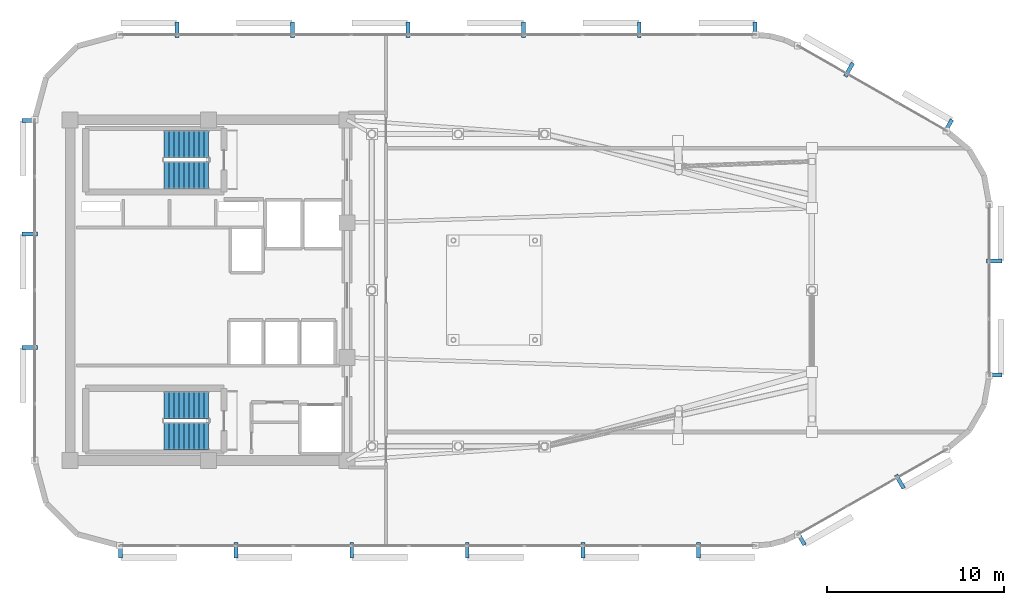
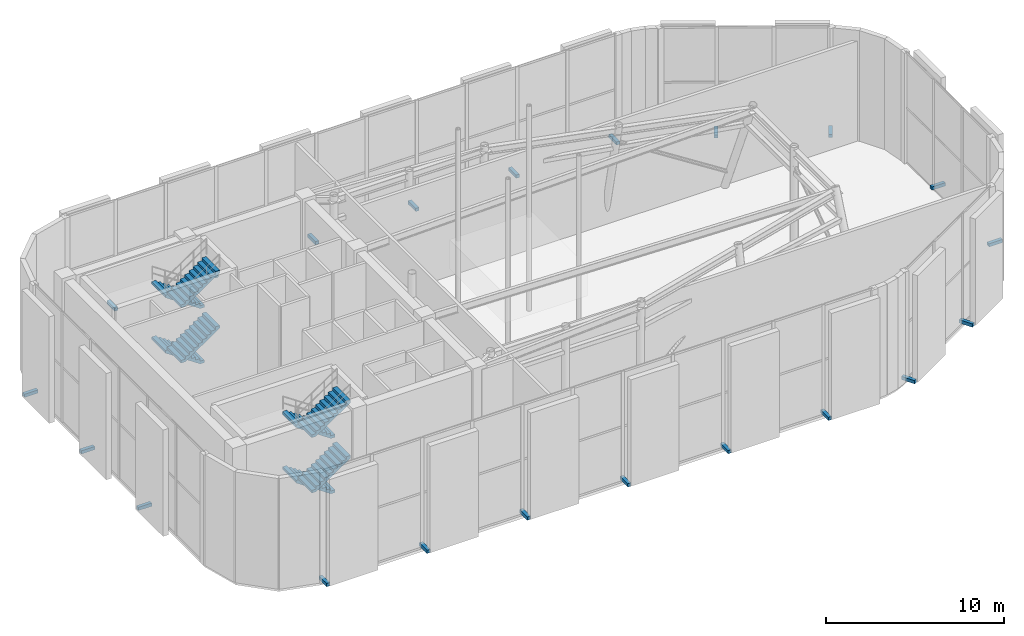
# One storey, part 20 of 22: 21 discrete accessories, 8 stair flights, 2 elements without a shape of their own.
"""IFC4 building model written with IfcOpenShell, lengths in metres."""

from ifc_helpers import new_model, si_unit, direction, frame, origin, origin_2d, place, context, subcontext, project, spatial, polyline, rectangle, outline, extrude, material, type_object, element, aggregate, save


model = new_model("IFC4")

# Units and contexts
model_context = context("Model", 3, precision=1e-05, world=origin(), true_north=direction((0.0, 1.0)))
body_context = subcontext(model_context, "Body", "Model", "MODEL_VIEW")
ifc_project = project(units=[si_unit("LENGTHUNIT", "METRE"), si_unit("AREAUNIT", "SQUARE_METRE"), si_unit("VOLUMEUNIT", "CUBIC_METRE"), si_unit("PLANEANGLEUNIT", "RADIAN"), si_unit("MASSUNIT", "GRAM", prefix="KILO")], contexts=[model_context])

# Site, building, storey
site_placement = place(None, origin())
site = spatial("IfcSite", under=ifc_project, at=site_placement, CompositionType="ELEMENT")
building_placement = place(site_placement, origin())
building = spatial("IfcBuilding", under=site, at=building_placement, Name="An Khanh Terracotta Commons", CompositionType="ELEMENT")
storey_placement = place(building_placement, frame((0.0, 0.0, 300.39990234375)))
storey = spatial("IfcBuildingStorey", under=building, at=storey_placement, Name="L78 Crown Damper Chamber", CompositionType="ELEMENT", Elevation=300.39990234375)

# Stair, stair flights
ifc_material_1 = material(Name="Precast concrete C40/50", Category="concrete")
stair_type = type_object("IfcStairType", Name="STAIR-CORE-1550", PredefinedType="HALF_TURN_STAIR", material=ifc_material_1)
stair_1_placement = place(storey_placement, origin())
stair_1 = element("IfcStair", 1, at=stair_1_placement, inside=storey, type_object=stair_type, Name="L78 Crown Damper Chamber Core Smokeproof Exit Stair ST-01", PredefinedType="HALF_TURN_STAIR")
stair_flight_type = type_object("IfcStairFlightType", Name="FLIGHT-CORE-1550", PredefinedType="STRAIGHT", material=ifc_material_1)
stair_flight_1_placement = place(storey_placement, frame((29.409912109375, 32.22509765625, 0.0), z_axis=(0.0, 0.0, 1.0), x_axis=(-1.0, 0.0, 0.0)))
stair_flight_1 = element("IfcStairFlight", 2, at=stair_flight_1_placement, type_object=stair_flight_type, Name="ST-01 flight 1", NumberOfRisers=10, NumberOfTreads=9, PredefinedType="STRAIGHT", RiserHeight=0.19, TreadLength=0.28, context=body_context, shape_type="SweptSolid", body=[
    extrude(outline(polyline([(0.0, 0.0), (0.0, 0.18994140625), (0.280029296875, 0.18994140625), (0.280029296875, 0.3798828125), (0.56005859375, 0.3798828125), (0.56005859375, 0.570068359375), (0.840087890625, 0.570068359375), (0.840087890625, 0.760009765625), (1.1201171875, 0.760009765625), (1.1201171875, 0.949951171875), (1.39990234375, 0.949951171875), (1.39990234375, 1.139892578125), (1.679931640625, 1.139892578125), (1.679931640625, 1.330078125), (1.9599609375, 1.330078125), (1.9599609375, 1.52001953125), (2.239990234375, 1.52001953125), (2.239990234375, 1.7099609375), (2.52001953125, 1.7099609375), (2.52001953125, 1.89990234375), (2.52001953125, 1.52880859375), (0.266845703125, 0.0), (0.0, 0.0)])), frame((0.0, 0.77490234375, 0.0), z_axis=(0.0, -1.0, 0.0), x_axis=(1.0, 0.0, 0.0)), (0.0, 0.0, 1.0), 1.550048828125),
])
stair_flight_2_placement = place(storey_placement, frame((26.889892578125, 30.47509765625, 1.900146484375), z_axis=(0.0, 0.0, 1.0), x_axis=(1.0, 0.0, 0.0)))
stair_flight_2 = element("IfcStairFlight", 3, at=stair_flight_2_placement, type_object=stair_flight_type, Name="ST-01 flight 2", NumberOfRisers=10, NumberOfTreads=9, PredefinedType="STRAIGHT", RiserHeight=0.19, TreadLength=0.28, context=body_context, shape_type="SweptSolid", body=[
    extrude(outline(polyline([(0.0, 0.0), (0.0, 0.18994140625), (0.280029296875, 0.18994140625), (0.280029296875, 0.3798828125), (0.56005859375, 0.3798828125), (0.56005859375, 0.570068359375), (0.840087890625, 0.570068359375), (0.840087890625, 0.760009765625), (1.1201171875, 0.760009765625), (1.1201171875, 0.949951171875), (1.39990234375, 0.949951171875), (1.39990234375, 1.139892578125), (1.679931640625, 1.139892578125), (1.679931640625, 1.330078125), (1.9599609375, 1.330078125), (1.9599609375, 1.52001953125), (2.239990234375, 1.52001953125), (2.239990234375, 1.7099609375), (2.52001953125, 1.7099609375), (2.52001953125, 1.89990234375), (2.52001953125, 1.52880859375), (0.266845703125, 0.0), (0.0, 0.0)])), frame((0.0, 0.77490234375, 0.0), z_axis=(0.0, -1.0, 0.0), x_axis=(1.0, 0.0, 0.0)), (0.0, 0.0, 1.0), 1.550048828125),
])
stair_flight_3_placement = place(storey_placement, frame((29.409912109375, 32.22509765625, 3.800048828125), z_axis=(0.0, 0.0, 1.0), x_axis=(-1.0, 0.0, 0.0)))
stair_flight_3 = element("IfcStairFlight", 4, at=stair_flight_3_placement, type_object=stair_flight_type, Name="ST-01 flight 3", NumberOfRisers=10, NumberOfTreads=9, PredefinedType="STRAIGHT", RiserHeight=0.19, TreadLength=0.28, context=body_context, shape_type="SweptSolid", body=[
    extrude(outline(polyline([(0.0, 0.0), (0.0, 0.18994140625), (0.280029296875, 0.18994140625), (0.280029296875, 0.3798828125), (0.56005859375, 0.3798828125), (0.56005859375, 0.570068359375), (0.840087890625, 0.570068359375), (0.840087890625, 0.760009765625), (1.1201171875, 0.760009765625), (1.1201171875, 0.949951171875), (1.39990234375, 0.949951171875), (1.39990234375, 1.139892578125), (1.679931640625, 1.139892578125), (1.679931640625, 1.330078125), (1.9599609375, 1.330078125), (1.9599609375, 1.52001953125), (2.239990234375, 1.52001953125), (2.239990234375, 1.7099609375), (2.52001953125, 1.7099609375), (2.52001953125, 1.89990234375), (2.52001953125, 1.52880859375), (0.266845703125, 0.0), (0.0, 0.0)])), frame((0.0, 0.77490234375, 0.0), z_axis=(0.0, -1.0, 0.0), x_axis=(1.0, 0.0, 0.0)), (0.0, 0.0, 1.0), 1.550048828125),
])
stair_flight_4_placement = place(storey_placement, frame((26.889892578125, 30.47509765625, 5.7001953125), z_axis=(0.0, 0.0, 1.0), x_axis=(1.0, 0.0, 0.0)))
stair_flight_4 = element("IfcStairFlight", 5, at=stair_flight_4_placement, type_object=stair_flight_type, Name="ST-01 flight 4", NumberOfRisers=10, NumberOfTreads=9, PredefinedType="STRAIGHT", RiserHeight=0.19, TreadLength=0.28, context=body_context, shape_type="SweptSolid", body=[
    extrude(outline(polyline([(0.0, 0.0), (0.0, 0.18994140625), (0.280029296875, 0.18994140625), (0.280029296875, 0.3798828125), (0.56005859375, 0.3798828125), (0.56005859375, 0.570068359375), (0.840087890625, 0.570068359375), (0.840087890625, 0.760009765625), (1.1201171875, 0.760009765625), (1.1201171875, 0.949951171875), (1.39990234375, 0.949951171875), (1.39990234375, 1.139892578125), (1.679931640625, 1.139892578125), (1.679931640625, 1.330078125), (1.9599609375, 1.330078125), (1.9599609375, 1.52001953125), (2.239990234375, 1.52001953125), (2.239990234375, 1.7099609375), (2.52001953125, 1.7099609375), (2.52001953125, 1.89990234375), (2.52001953125, 1.52880859375), (0.266845703125, 0.0), (0.0, 0.0)])), frame((0.0, 0.77490234375, 0.0), z_axis=(0.0, -1.0, 0.0), x_axis=(1.0, 0.0, 0.0)), (0.0, 0.0, 1.0), 1.550048828125),
])
aggregate(stair_1, [stair_flight_1, stair_flight_2, stair_flight_3, stair_flight_4])

stair_2_placement = place(storey_placement, origin())
stair_2 = element("IfcStair", 6, at=stair_2_placement, inside=storey, type_object=stair_type, Name="L78 Crown Damper Chamber Core Smokeproof Exit Stair ST-02", PredefinedType="HALF_TURN_STAIR")
stair_flight_5_placement = place(storey_placement, frame((29.409912109375, 17.52490234375, 0.0), z_axis=(0.0, 0.0, 1.0), x_axis=(-1.0, 0.0, 0.0)))
stair_flight_5 = element("IfcStairFlight", 7, at=stair_flight_5_placement, type_object=stair_flight_type, Name="ST-02 flight 1", NumberOfRisers=10, NumberOfTreads=9, PredefinedType="STRAIGHT", RiserHeight=0.19, TreadLength=0.28, context=body_context, shape_type="SweptSolid", body=[
    extrude(outline(polyline([(0.0, 0.0), (0.0, 0.18994140625), (0.280029296875, 0.18994140625), (0.280029296875, 0.3798828125), (0.56005859375, 0.3798828125), (0.56005859375, 0.570068359375), (0.840087890625, 0.570068359375), (0.840087890625, 0.760009765625), (1.1201171875, 0.760009765625), (1.1201171875, 0.949951171875), (1.39990234375, 0.949951171875), (1.39990234375, 1.139892578125), (1.679931640625, 1.139892578125), (1.679931640625, 1.330078125), (1.9599609375, 1.330078125), (1.9599609375, 1.52001953125), (2.239990234375, 1.52001953125), (2.239990234375, 1.7099609375), (2.52001953125, 1.7099609375), (2.52001953125, 1.89990234375), (2.52001953125, 1.52880859375), (0.266845703125, 0.0), (0.0, 0.0)])), frame((0.0, 0.77490234375, 0.0), z_axis=(0.0, -1.0, 0.0), x_axis=(1.0, 0.0, 0.0)), (0.0, 0.0, 1.0), 1.550048828125),
])
stair_flight_6_placement = place(storey_placement, frame((26.889892578125, 15.77490234375, 1.900146484375), z_axis=(0.0, 0.0, 1.0), x_axis=(1.0, 0.0, 0.0)))
stair_flight_6 = element("IfcStairFlight", 8, at=stair_flight_6_placement, type_object=stair_flight_type, Name="ST-02 flight 2", NumberOfRisers=10, NumberOfTreads=9, PredefinedType="STRAIGHT", RiserHeight=0.19, TreadLength=0.28, context=body_context, shape_type="SweptSolid", body=[
    extrude(outline(polyline([(0.0, 0.0), (0.0, 0.18994140625), (0.280029296875, 0.18994140625), (0.280029296875, 0.3798828125), (0.56005859375, 0.3798828125), (0.56005859375, 0.570068359375), (0.840087890625, 0.570068359375), (0.840087890625, 0.760009765625), (1.1201171875, 0.760009765625), (1.1201171875, 0.949951171875), (1.39990234375, 0.949951171875), (1.39990234375, 1.139892578125), (1.679931640625, 1.139892578125), (1.679931640625, 1.330078125), (1.9599609375, 1.330078125), (1.9599609375, 1.52001953125), (2.239990234375, 1.52001953125), (2.239990234375, 1.7099609375), (2.52001953125, 1.7099609375), (2.52001953125, 1.89990234375), (2.52001953125, 1.52880859375), (0.266845703125, 0.0), (0.0, 0.0)])), frame((0.0, 0.77490234375, 0.0), z_axis=(0.0, -1.0, 0.0), x_axis=(1.0, 0.0, 0.0)), (0.0, 0.0, 1.0), 1.550048828125),
])
stair_flight_7_placement = place(storey_placement, frame((29.409912109375, 17.52490234375, 3.800048828125), z_axis=(0.0, 0.0, 1.0), x_axis=(-1.0, 0.0, 0.0)))
stair_flight_7 = element("IfcStairFlight", 9, at=stair_flight_7_placement, type_object=stair_flight_type, Name="ST-02 flight 3", NumberOfRisers=10, NumberOfTreads=9, PredefinedType="STRAIGHT", RiserHeight=0.19, TreadLength=0.28, context=body_context, shape_type="SweptSolid", body=[
    extrude(outline(polyline([(0.0, 0.0), (0.0, 0.18994140625), (0.280029296875, 0.18994140625), (0.280029296875, 0.3798828125), (0.56005859375, 0.3798828125), (0.56005859375, 0.570068359375), (0.840087890625, 0.570068359375), (0.840087890625, 0.760009765625), (1.1201171875, 0.760009765625), (1.1201171875, 0.949951171875), (1.39990234375, 0.949951171875), (1.39990234375, 1.139892578125), (1.679931640625, 1.139892578125), (1.679931640625, 1.330078125), (1.9599609375, 1.330078125), (1.9599609375, 1.52001953125), (2.239990234375, 1.52001953125), (2.239990234375, 1.7099609375), (2.52001953125, 1.7099609375), (2.52001953125, 1.89990234375), (2.52001953125, 1.52880859375), (0.266845703125, 0.0), (0.0, 0.0)])), frame((0.0, 0.77490234375, 0.0), z_axis=(0.0, -1.0, 0.0), x_axis=(1.0, 0.0, 0.0)), (0.0, 0.0, 1.0), 1.550048828125),
])
stair_flight_8_placement = place(storey_placement, frame((26.889892578125, 15.77490234375, 5.7001953125), z_axis=(0.0, 0.0, 1.0), x_axis=(1.0, 0.0, 0.0)))
stair_flight_8 = element("IfcStairFlight", 10, at=stair_flight_8_placement, type_object=stair_flight_type, Name="ST-02 flight 4", NumberOfRisers=10, NumberOfTreads=9, PredefinedType="STRAIGHT", RiserHeight=0.19, TreadLength=0.28, context=body_context, shape_type="SweptSolid", body=[
    extrude(outline(polyline([(0.0, 0.0), (0.0, 0.18994140625), (0.280029296875, 0.18994140625), (0.280029296875, 0.3798828125), (0.56005859375, 0.3798828125), (0.56005859375, 0.570068359375), (0.840087890625, 0.570068359375), (0.840087890625, 0.760009765625), (1.1201171875, 0.760009765625), (1.1201171875, 0.949951171875), (1.39990234375, 0.949951171875), (1.39990234375, 1.139892578125), (1.679931640625, 1.139892578125), (1.679931640625, 1.330078125), (1.9599609375, 1.330078125), (1.9599609375, 1.52001953125), (2.239990234375, 1.52001953125), (2.239990234375, 1.7099609375), (2.52001953125, 1.7099609375), (2.52001953125, 1.89990234375), (2.52001953125, 1.52880859375), (0.266845703125, 0.0), (0.0, 0.0)])), frame((0.0, 0.77490234375, 0.0), z_axis=(0.0, -1.0, 0.0), x_axis=(1.0, 0.0, 0.0)), (0.0, 0.0, 1.0), 1.550048828125),
])
aggregate(stair_2, [stair_flight_5, stair_flight_6, stair_flight_7, stair_flight_8])

# Discrete accessories
ifc_material_2 = material(Name="Stainless Steel Grade 316L", Category="steel")
discrete_accessory_type = type_object("IfcDiscreteAccessoryType", Name="Stainless Outrigger Facade Bracket", PredefinedType="BRACKET", material=ifc_material_2)
for number, where, z_axis, x_axis, name in (
    (11, (24.43994140625, 9.3349609375, 0.0703125), (0.0, 0.0, 1.0), (1.0, 0.0, 0.0), "L78 Crown Damper Chamber Terracotta Screen Outrigger Bracket 1"),
    (12, (30.9541015625, 9.3349609375, 0.0703125), (0.0, 0.0, 1.0), (1.0, 0.0, 0.0), "L78 Crown Damper Chamber Terracotta Screen Outrigger Bracket 3"),
    (13, (37.467041015625, 9.3349609375, 0.0703125), (0.0, 0.0, 1.0), (1.0, 0.0, 0.0), "L78 Crown Damper Chamber Terracotta Screen Outrigger Bracket 5"),
    (14, (43.98095703125, 9.3349609375, 0.0703125), (0.0, 0.0, 1.0), (1.0, 0.0, 0.0), "L78 Crown Damper Chamber Terracotta Screen Outrigger Bracket 7"),
    (15, (50.4951171875, 9.3349609375, 0.0703125), (0.0, 0.0, 1.0), (1.0, 0.0, 0.0), "L78 Crown Damper Chamber Terracotta Screen Outrigger Bracket 9"),
    (16, (57.008056640625, 9.3349609375, 0.0703125), (0.0, 0.0, 1.0), (1.0, 0.0, 0.0), "L78 Crown Damper Chamber Terracotta Screen Outrigger Bracket 11"),
    (17, (62.77294921875, 10.02197265625, 0.0703125), (0.0, 0.0, 1.0), (0.868204858198, 0.496205929228, 0.0), "L78 Crown Damper Chamber Terracotta Screen Outrigger Bracket 1"),
    (18, (68.35595703125, 13.2119140625, 0.0703125), (0.0, 0.0, 1.0), (0.868204858198, 0.496205929228, 0.0), "L78 Crown Damper Chamber Terracotta Screen Outrigger Bracket 3"),
    (19, (73.6650390625, 19.22607421875, 0.0703125), (0.0, 0.0, 1.0), (0.0, 1.0, 0.0), "L78 Crown Damper Chamber Terracotta Screen Outrigger Bracket 1"),
    (20, (73.6650390625, 25.64501953125, 0.0703125), (0.0, 0.0, 1.0), (0.0, 1.0, 0.0), "L78 Crown Damper Chamber Terracotta Screen Outrigger Bracket 3"),
    (21, (71.077880859375, 33.23193359375, 0.0703125), (0.0, 0.0, 1.0), (-0.868204858198, 0.496205929228, 0.0), "L78 Crown Damper Chamber Terracotta Screen Outrigger Bracket 1"),
    (22, (65.4951171875, 36.423095703125, 0.0703125), (0.0, 0.0, 1.0), (-0.868204858198, 0.496205929228, 0.0), "L78 Crown Damper Chamber Terracotta Screen Outrigger Bracket 3"),
    (23, (60.18505859375, 38.6650390625, 0.0703125), (0.0, 0.0, 1.0), (-1.0, 0.0, 0.0), "L78 Crown Damper Chamber Terracotta Screen Outrigger Bracket 1"),
    (24, (53.6708984375, 38.6650390625, 0.0703125), (0.0, 0.0, 1.0), (-1.0, 0.0, 0.0), "L78 Crown Damper Chamber Terracotta Screen Outrigger Bracket 3"),
    (25, (47.157958984375, 38.6650390625, 0.0703125), (0.0, 0.0, 1.0), (-1.0, 0.0, 0.0), "L78 Crown Damper Chamber Terracotta Screen Outrigger Bracket 5"),
    (26, (40.64404296875, 38.6650390625, 0.0703125), (0.0, 0.0, 1.0), (-1.0, 0.0, 0.0), "L78 Crown Damper Chamber Terracotta Screen Outrigger Bracket 7"),
    (27, (34.1298828125, 38.6650390625, 0.0703125), (0.0, 0.0, 1.0), (-1.0, 0.0, 0.0), "L78 Crown Damper Chamber Terracotta Screen Outrigger Bracket 9"),
    (28, (27.616943359375, 38.6650390625, 0.0703125), (0.0, 0.0, 1.0), (-1.0, 0.0, 0.0), "L78 Crown Damper Chamber Terracotta Screen Outrigger Bracket 11"),
    (29, (19.3349609375, 33.56005859375, 0.0703125), (0.0, 0.0, 1.0), (0.0, -1.0, 0.0), "L78 Crown Damper Chamber Terracotta Screen Outrigger Bracket 1"),
    (30, (19.3349609375, 27.159912109375, 0.0703125), (0.0, 0.0, 1.0), (0.0, -1.0, 0.0), "L78 Crown Damper Chamber Terracotta Screen Outrigger Bracket 3"),
    (31, (19.3349609375, 20.760009765625, 0.0703125), (0.0, 0.0, 1.0), (0.0, -1.0, 0.0), "L78 Crown Damper Chamber Terracotta Screen Outrigger Bracket 5"),
):
    element("IfcDiscreteAccessory", number, at=place(storey_placement, frame(where, z_axis=z_axis, x_axis=x_axis)), inside=storey, type_object=discrete_accessory_type, Name=name, PredefinedType="BRACKET", context=body_context, shape_type="SweptSolid", body=[
        extrude(rectangle(XDim=0.219970703125, YDim=0.8701171875, at=origin_2d()), origin(), (0.0, 0.0, 1.0), 0.219970703125),
    ])

save(model, "model.ifc")
